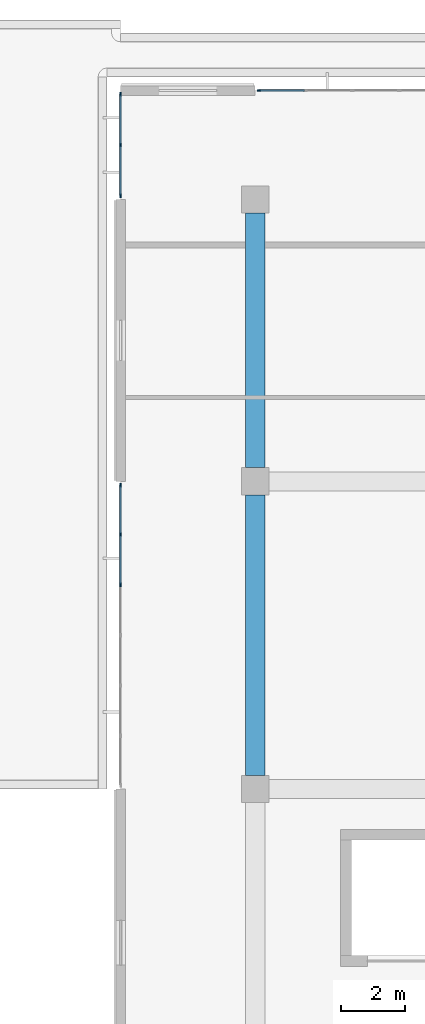
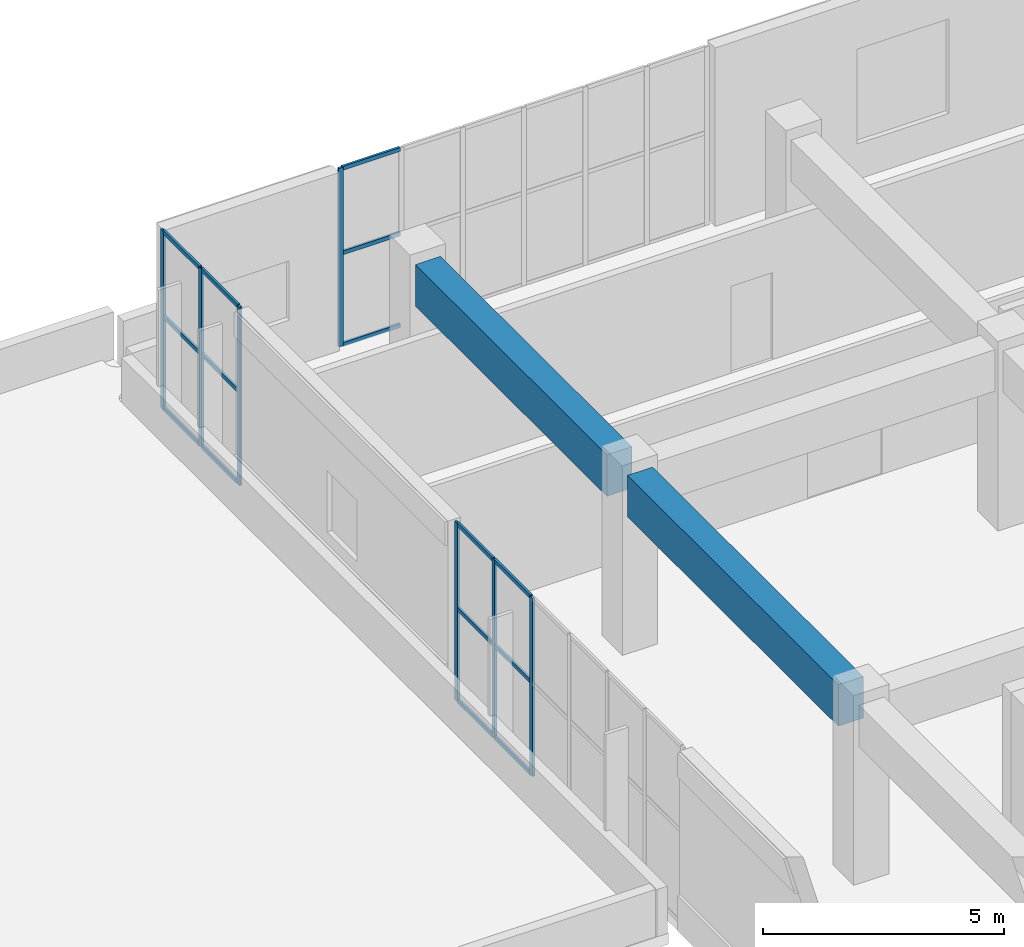
# One storey, part 18 of 67: 22 members, 2 beams, 3 elements without a shape of their own.
"""IFC4 building model written with IfcOpenShell, lengths in metres."""

from ifc_helpers import new_model, si_unit, direction, frame, origin, origin_2d, place, context, subcontext, project, spatial, rectangle, extrude, material, layer, layer_set, material_profile, profile_set, type_object, element, aggregate, save


model = new_model("IFC4")

# Units and contexts
model_context = context("Model", 3, precision=1e-05, world=origin(), true_north=direction((0.0, 1.0)))
body_context = subcontext(model_context, "Body", "Model", "MODEL_VIEW")
ifc_project = project(units=[si_unit("LENGTHUNIT", "METRE"), si_unit("AREAUNIT", "SQUARE_METRE"), si_unit("VOLUMEUNIT", "CUBIC_METRE"), si_unit("PLANEANGLEUNIT", "RADIAN"), si_unit("MASSUNIT", "GRAM", prefix="KILO")], contexts=[model_context])

# Site, building, storey
site_placement = place(None, origin())
site = spatial("IfcSite", under=ifc_project, at=site_placement, CompositionType="ELEMENT")
building_placement = place(site_placement, origin())
building = spatial("IfcBuilding", under=site, at=building_placement, Name="Cendralis Terraced Arcade", CompositionType="ELEMENT")
storey_placement = place(building_placement, frame((0.0, 0.0, 15.0)))
storey = spatial("IfcBuildingStorey", under=building, at=storey_placement, Name="L03", CompositionType="ELEMENT", Elevation=15.0)

# Beams
ifc_material_1 = material(Name="Concrete f'c 35 MPa", Category="concrete")
ifc_material_profile_1 = material_profile(ifc_material_1, rectangle(XDim=0.60009765625, YDim=1.050048828125, at=origin_2d()), Name="RC-BM-600x1050", Category="LoadBearing")
ifc_profile_set_1 = profile_set([ifc_material_profile_1], Name="Concrete f'c 35 MPa")
beam_type = type_object("IfcBeamType", Name="BM-600x1050", PredefinedType="JOIST", material=ifc_profile_set_1)
beam_1_placement = place(storey_placement, frame((130.199951171875, 89.22509765625, 3.9951171875), z_axis=(0.0, 1.0, 0.0), x_axis=(-1.0, 0.0, 0.0)))
element("IfcBeam", 1, at=beam_1_placement, inside=storey, type_object=beam_type, Name="Reinforced Concrete Frame Beam BM-Y-L04-15-K_L", PredefinedType="JOIST", context=body_context, shape_type="SweptSolid", body=[
    extrude(rectangle(XDim=0.60009765625, YDim=1.050048828125, at=origin_2d()), origin(), (0.0, 0.0, 1.0), 8.75),
])
beam_2_placement = place(storey_placement, frame((130.199951171875, 98.824951171875, 3.9951171875), z_axis=(0.0, 1.0, 0.0), x_axis=(-1.0, 0.0, 0.0)))
element("IfcBeam", 2, at=beam_2_placement, inside=storey, type_object=beam_type, Name="Reinforced Concrete Frame Beam BM-Y-L04-15-L_M", PredefinedType="JOIST", context=body_context, shape_type="SweptSolid", body=[
    extrude(rectangle(XDim=0.60009765625, YDim=1.050048828125, at=origin_2d()), origin(), (0.0, 0.0, 1.0), 7.949951171875),
])

# Curtain wall, members
ifc_material_2 = material(Name="Anodised aluminium EN AW-6063 T6", Category="aluminium")
ifc_layer = layer(ifc_material_2, 0.1201171875, Name="CW-STORE-B")
ifc_layer_set = layer_set([ifc_layer], Name="Anodised aluminium EN AW-6063 T6")
curtain_wall_type = type_object("IfcCurtainWallType", Name="CW-STORE-B", PredefinedType="USERDEFINED", material=ifc_layer_set)
curtain_wall_1_placement = place(storey_placement, origin())
curtain_wall_1 = element("IfcCurtainWall", 3, at=curtain_wall_1_placement, inside=storey, type_object=curtain_wall_type, Name="Exterior Storefront Glazing CW-L03-0254", ObjectType="STOREFRONT GLAZING", PredefinedType="USERDEFINED")
ifc_material_profile_2 = material_profile(ifc_material_2, rectangle(XDim=0.054931640625, YDim=0.1201171875, at=origin_2d()), Name="ALU-MUL-55x120")
ifc_profile_set_2 = profile_set([ifc_material_profile_2], Name="Anodised aluminium EN AW-6063 T6")
member_type_1 = type_object("IfcMemberType", Name="CW-STORE-B-MUL", PredefinedType="MULLION", material=ifc_profile_set_2)
member_1_placement = place(storey_placement, frame((126.0, 95.169921875, 0.0), z_axis=(0.0, 0.0, 1.0), x_axis=(-1.0, 0.0, 0.0)))
member_1 = element("IfcMember", 4, at=member_1_placement, type_object=member_type_1, Name="CW-S2 mullion 5", PredefinedType="MULLION", context=body_context, shape_type="SweptSolid", body=[
    extrude(rectangle(XDim=0.054931640625, YDim=0.1201171875, at=origin_2d()), origin(), (0.0, 0.0, 1.0), 4.52001953125),
])
member_2_placement = place(storey_placement, frame((126.0, 96.739990234375, 0.0), z_axis=(0.0, 0.0, 1.0), x_axis=(-1.0, 0.0, 0.0)))
member_2 = element("IfcMember", 5, at=member_2_placement, type_object=member_type_1, Name="CW-S2 mullion 6", PredefinedType="MULLION", context=body_context, shape_type="SweptSolid", body=[
    extrude(rectangle(XDim=0.054931640625, YDim=0.1201171875, at=origin_2d()), origin(), (0.0, 0.0, 1.0), 4.52001953125),
])
member_3_placement = place(storey_placement, frame((126.0, 98.282470703125, 0.0), z_axis=(0.0, 0.0, 1.0), x_axis=(-1.0, 0.0, 0.0)))
member_3 = element("IfcMember", 6, at=member_3_placement, type_object=member_type_1, Name="CW-S2 mullion 7", PredefinedType="MULLION", context=body_context, shape_type="SweptSolid", body=[
    extrude(rectangle(XDim=0.054931640625, YDim=0.1201171875, at=origin_2d()), origin(), (0.0, 0.0, 1.0), 4.52001953125),
])

curtain_wall_2_placement = place(storey_placement, origin())
curtain_wall_2 = element("IfcCurtainWall", 7, at=curtain_wall_2_placement, inside=storey, type_object=curtain_wall_type, Name="Exterior Storefront Glazing CW-L03-0255", ObjectType="STOREFRONT GLAZING", PredefinedType="USERDEFINED")
member_4_placement = place(storey_placement, frame((126.0, 107.3173828125, 0.0), z_axis=(0.0, 0.0, 1.0), x_axis=(-1.0, 0.0, 0.0)))
member_4 = element("IfcMember", 8, at=member_4_placement, type_object=member_type_1, Name="CW-S2 mullion 1", PredefinedType="MULLION", context=body_context, shape_type="SweptSolid", body=[
    extrude(rectangle(XDim=0.054931640625, YDim=0.1201171875, at=origin_2d()), origin(), (0.0, 0.0, 1.0), 4.52001953125),
])
member_5_placement = place(storey_placement, frame((126.0, 108.89990234375, 0.0), z_axis=(0.0, 0.0, 1.0), x_axis=(-1.0, 0.0, 0.0)))
member_5 = element("IfcMember", 9, at=member_5_placement, type_object=member_type_1, Name="CW-S2 mullion 2", PredefinedType="MULLION", context=body_context, shape_type="SweptSolid", body=[
    extrude(rectangle(XDim=0.054931640625, YDim=0.1201171875, at=origin_2d()), origin(), (0.0, 0.0, 1.0), 4.52001953125),
])
member_6_placement = place(storey_placement, frame((126.0, 110.482421875, 0.0), z_axis=(0.0, 0.0, 1.0), x_axis=(-1.0, 0.0, 0.0)))
member_6 = element("IfcMember", 10, at=member_6_placement, type_object=member_type_1, Name="CW-S2 mullion 3", PredefinedType="MULLION", context=body_context, shape_type="SweptSolid", body=[
    extrude(rectangle(XDim=0.054931640625, YDim=0.1201171875, at=origin_2d()), origin(), (0.0, 0.0, 1.0), 4.52001953125),
])

# Curtain wall, member
curtain_wall_3_placement = place(storey_placement, origin())
curtain_wall_3 = element("IfcCurtainWall", 11, at=curtain_wall_3_placement, inside=storey, type_object=curtain_wall_type, Name="Exterior Storefront Glazing CW-L03-0256", ObjectType="STOREFRONT GLAZING", PredefinedType="USERDEFINED")
member_7_placement = place(storey_placement, frame((130.3173828125, 110.60009765625, 0.0), z_axis=(0.0, 0.0, 1.0), x_axis=(0.0, 1.0, 0.0)))
member_7 = element("IfcMember", 12, at=member_7_placement, type_object=member_type_1, Name="CW-S2 mullion 1", PredefinedType="MULLION", context=body_context, shape_type="SweptSolid", body=[
    extrude(rectangle(XDim=0.054931640625, YDim=0.1201171875, at=origin_2d()), origin(), (0.0, 0.0, 1.0), 4.52001953125),
])

# Member
ifc_material_profile_3 = material_profile(ifc_material_2, rectangle(XDim=0.054931640625, YDim=0.10009765625, at=origin_2d()), Name="ALU-TRN-55x100")
ifc_profile_set_3 = profile_set([ifc_material_profile_3], Name="Anodised aluminium EN AW-6063 T6")
member_type_2 = type_object("IfcMemberType", Name="CW-STORE-B-TRN", PredefinedType="USERDEFINED", material=ifc_profile_set_3)
member_8_placement = place(storey_placement, frame((126.0, 95.197509765625, 0.027587890625), z_axis=(0.0, 1.0, 0.0), x_axis=(-1.0, 0.0, 0.0)))
member_8 = element("IfcMember", 13, at=member_8_placement, type_object=member_type_2, Name="CW-S2 transom 5.1", ObjectType="TRANSOM", PredefinedType="USERDEFINED", context=body_context, shape_type="SweptSolid", body=[
    extrude(rectangle(XDim=0.054931640625, YDim=0.10009765625, at=origin_2d()), origin(), (0.0, 0.0, 1.0), 1.514892578125),
])

member_9_placement = place(storey_placement, frame((126.0, 95.197509765625, 2.350341796875), z_axis=(0.0, 1.0, 0.0), x_axis=(-1.0, 0.0, 0.0)))
member_9 = element("IfcMember", 14, at=member_9_placement, type_object=member_type_2, Name="CW-S2 transom 5.2", ObjectType="TRANSOM", PredefinedType="USERDEFINED", context=body_context, shape_type="SweptSolid", body=[
    extrude(rectangle(XDim=0.054931640625, YDim=0.10009765625, at=origin_2d()), origin(), (0.0, 0.0, 1.0), 1.514892578125),
])

member_10_placement = place(storey_placement, frame((126.0, 95.197509765625, 4.492431640625), z_axis=(0.0, 1.0, 0.0), x_axis=(-1.0, 0.0, 0.0)))
member_10 = element("IfcMember", 15, at=member_10_placement, type_object=member_type_2, Name="CW-S2 transom 5.3", ObjectType="TRANSOM", PredefinedType="USERDEFINED", context=body_context, shape_type="SweptSolid", body=[
    extrude(rectangle(XDim=0.054931640625, YDim=0.10009765625, at=origin_2d()), origin(), (0.0, 0.0, 1.0), 1.514892578125),
])

member_11_placement = place(storey_placement, frame((126.0, 96.767578125, 0.027587890625), z_axis=(0.0, 1.0, 0.0), x_axis=(-1.0, 0.0, 0.0)))
member_11 = element("IfcMember", 16, at=member_11_placement, type_object=member_type_2, Name="CW-S2 transom 6.1", ObjectType="TRANSOM", PredefinedType="USERDEFINED", context=body_context, shape_type="SweptSolid", body=[
    extrude(rectangle(XDim=0.054931640625, YDim=0.10009765625, at=origin_2d()), origin(), (0.0, 0.0, 1.0), 1.4873046875),
])

member_12_placement = place(storey_placement, frame((126.0, 96.767578125, 2.350341796875), z_axis=(0.0, 1.0, 0.0), x_axis=(-1.0, 0.0, 0.0)))
member_12 = element("IfcMember", 17, at=member_12_placement, type_object=member_type_2, Name="CW-S2 transom 6.2", ObjectType="TRANSOM", PredefinedType="USERDEFINED", context=body_context, shape_type="SweptSolid", body=[
    extrude(rectangle(XDim=0.054931640625, YDim=0.10009765625, at=origin_2d()), origin(), (0.0, 0.0, 1.0), 1.4873046875),
])

member_13_placement = place(storey_placement, frame((126.0, 96.767578125, 4.492431640625), z_axis=(0.0, 1.0, 0.0), x_axis=(-1.0, 0.0, 0.0)))
member_13 = element("IfcMember", 18, at=member_13_placement, type_object=member_type_2, Name="CW-S2 transom 6.3", ObjectType="TRANSOM", PredefinedType="USERDEFINED", context=body_context, shape_type="SweptSolid", body=[
    extrude(rectangle(XDim=0.054931640625, YDim=0.10009765625, at=origin_2d()), origin(), (0.0, 0.0, 1.0), 1.4873046875),
])

aggregate(curtain_wall_1, [member_1, member_2, member_3, member_8, member_9, member_10, member_11, member_12, member_13])

member_14_placement = place(storey_placement, frame((126.0, 107.344970703125, 0.027587890625), z_axis=(0.0, 1.0, 0.0), x_axis=(-1.0, 0.0, 0.0)))
member_14 = element("IfcMember", 19, at=member_14_placement, type_object=member_type_2, Name="CW-S2 transom 1.1", ObjectType="TRANSOM", PredefinedType="USERDEFINED", context=body_context, shape_type="SweptSolid", body=[
    extrude(rectangle(XDim=0.054931640625, YDim=0.10009765625, at=origin_2d()), origin(), (0.0, 0.0, 1.0), 1.527587890625),
])

member_15_placement = place(storey_placement, frame((126.0, 107.344970703125, 2.350341796875), z_axis=(0.0, 1.0, 0.0), x_axis=(-1.0, 0.0, 0.0)))
member_15 = element("IfcMember", 20, at=member_15_placement, type_object=member_type_2, Name="CW-S2 transom 1.2", ObjectType="TRANSOM", PredefinedType="USERDEFINED", context=body_context, shape_type="SweptSolid", body=[
    extrude(rectangle(XDim=0.054931640625, YDim=0.10009765625, at=origin_2d()), origin(), (0.0, 0.0, 1.0), 1.527587890625),
])

member_16_placement = place(storey_placement, frame((126.0, 107.344970703125, 4.492431640625), z_axis=(0.0, 1.0, 0.0), x_axis=(-1.0, 0.0, 0.0)))
member_16 = element("IfcMember", 21, at=member_16_placement, type_object=member_type_2, Name="CW-S2 transom 1.3", ObjectType="TRANSOM", PredefinedType="USERDEFINED", context=body_context, shape_type="SweptSolid", body=[
    extrude(rectangle(XDim=0.054931640625, YDim=0.10009765625, at=origin_2d()), origin(), (0.0, 0.0, 1.0), 1.527587890625),
])

member_17_placement = place(storey_placement, frame((126.0, 108.927490234375, 0.027587890625), z_axis=(0.0, 1.0, 0.0), x_axis=(-1.0, 0.0, 0.0)))
member_17 = element("IfcMember", 22, at=member_17_placement, type_object=member_type_2, Name="CW-S2 transom 2.1", ObjectType="TRANSOM", PredefinedType="USERDEFINED", context=body_context, shape_type="SweptSolid", body=[
    extrude(rectangle(XDim=0.054931640625, YDim=0.10009765625, at=origin_2d()), origin(), (0.0, 0.0, 1.0), 1.527587890625),
])

member_18_placement = place(storey_placement, frame((126.0, 108.927490234375, 2.350341796875), z_axis=(0.0, 1.0, 0.0), x_axis=(-1.0, 0.0, 0.0)))
member_18 = element("IfcMember", 23, at=member_18_placement, type_object=member_type_2, Name="CW-S2 transom 2.2", ObjectType="TRANSOM", PredefinedType="USERDEFINED", context=body_context, shape_type="SweptSolid", body=[
    extrude(rectangle(XDim=0.054931640625, YDim=0.10009765625, at=origin_2d()), origin(), (0.0, 0.0, 1.0), 1.527587890625),
])

member_19_placement = place(storey_placement, frame((126.0, 108.927490234375, 4.492431640625), z_axis=(0.0, 1.0, 0.0), x_axis=(-1.0, 0.0, 0.0)))
member_19 = element("IfcMember", 24, at=member_19_placement, type_object=member_type_2, Name="CW-S2 transom 2.3", ObjectType="TRANSOM", PredefinedType="USERDEFINED", context=body_context, shape_type="SweptSolid", body=[
    extrude(rectangle(XDim=0.054931640625, YDim=0.10009765625, at=origin_2d()), origin(), (0.0, 0.0, 1.0), 1.527587890625),
])

aggregate(curtain_wall_2, [member_4, member_5, member_6, member_14, member_15, member_16, member_17, member_18, member_19])

member_20_placement = place(storey_placement, frame((130.344970703125, 110.60009765625, 0.027587890625), z_axis=(1.0, 0.0, 0.0), x_axis=(0.0, 1.0, 0.0)))
member_20 = element("IfcMember", 25, at=member_20_placement, type_object=member_type_2, Name="CW-S2 transom 1.1", ObjectType="TRANSOM", PredefinedType="USERDEFINED", context=body_context, shape_type="SweptSolid", body=[
    extrude(rectangle(XDim=0.054931640625, YDim=0.10009765625, at=origin_2d()), origin(), (0.0, 0.0, 1.0), 1.387451171875),
])

member_21_placement = place(storey_placement, frame((130.344970703125, 110.60009765625, 2.350341796875), z_axis=(1.0, 0.0, 0.0), x_axis=(0.0, 1.0, 0.0)))
member_21 = element("IfcMember", 26, at=member_21_placement, type_object=member_type_2, Name="CW-S2 transom 1.2", ObjectType="TRANSOM", PredefinedType="USERDEFINED", context=body_context, shape_type="SweptSolid", body=[
    extrude(rectangle(XDim=0.054931640625, YDim=0.10009765625, at=origin_2d()), origin(), (0.0, 0.0, 1.0), 1.387451171875),
])

member_22_placement = place(storey_placement, frame((130.344970703125, 110.60009765625, 4.492431640625), z_axis=(1.0, 0.0, 0.0), x_axis=(0.0, 1.0, 0.0)))
member_22 = element("IfcMember", 27, at=member_22_placement, type_object=member_type_2, Name="CW-S2 transom 1.3", ObjectType="TRANSOM", PredefinedType="USERDEFINED", context=body_context, shape_type="SweptSolid", body=[
    extrude(rectangle(XDim=0.054931640625, YDim=0.10009765625, at=origin_2d()), origin(), (0.0, 0.0, 1.0), 1.387451171875),
])

aggregate(curtain_wall_3, [member_7, member_20, member_21, member_22])

save(model, "model.ifc")
